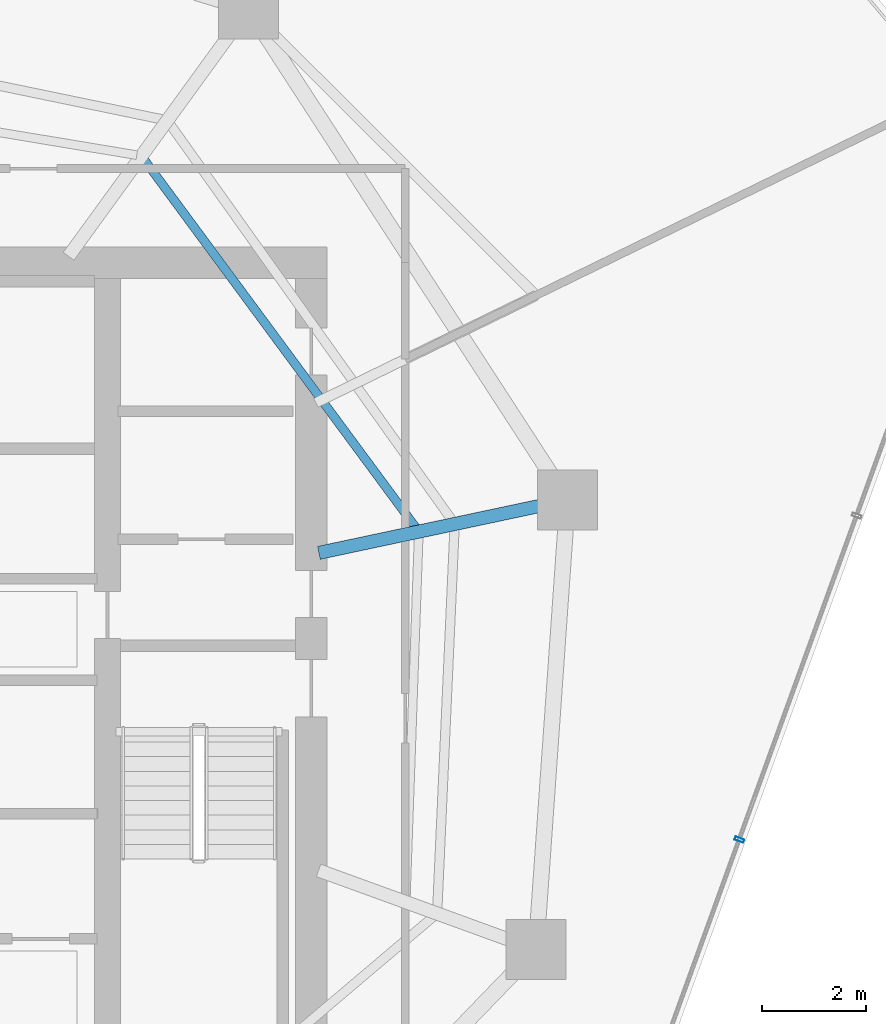
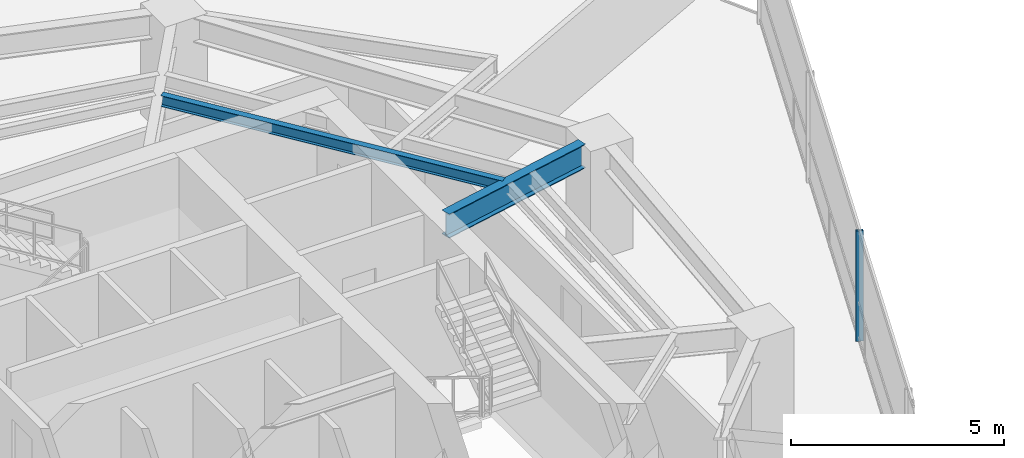
# One storey, part 14 of 27: 2 beams, 1 member, 1 element without a shape of its own.
"""IFC4 building model written with IfcOpenShell, lengths in metres."""

from ifc_helpers import new_model, si_unit, direction, frame, origin, origin_2d, place, context, subcontext, project, spatial, hollow_rectangle, i_section, extrude, material, layer, layer_set, material_profile, profile_set, type_object, element, aggregate, save


model = new_model("IFC4")

# Units and contexts
model_context = context("Model", 3, precision=1e-05, world=origin(), true_north=direction((0.0, 1.0)))
body_context = subcontext(model_context, "Body", "Model", "MODEL_VIEW")
ifc_project = project(units=[si_unit("LENGTHUNIT", "METRE"), si_unit("AREAUNIT", "SQUARE_METRE"), si_unit("VOLUMEUNIT", "CUBIC_METRE"), si_unit("PLANEANGLEUNIT", "RADIAN"), si_unit("MASSUNIT", "GRAM", prefix="KILO")], contexts=[model_context])

# Site, building, storey
site_placement = place(None, origin())
site = spatial("IfcSite", under=ifc_project, at=site_placement, CompositionType="ELEMENT")
building_placement = place(site_placement, origin())
building = spatial("IfcBuilding", under=site, at=building_placement, Name="Qarnah Convention Tower", CompositionType="ELEMENT")
storey_placement = place(building_placement, frame((0.0, 0.0, 103.949951171875)))
storey = spatial("IfcBuildingStorey", under=building, at=storey_placement, Name="L27", CompositionType="ELEMENT", Elevation=103.949951171875)

# Beams
ifc_material_1 = material(Name="Structural steel S355JR", Category="steel")
ifc_material_profile_1 = material_profile(ifc_material_1, i_section(OverallWidth=0.166015625, OverallDepth=0.31201171875, WebThickness=0.007080078125, FlangeThickness=0.010986328125, at=origin_2d()), Name="W310X45")
ifc_profile_set_1 = profile_set([ifc_material_profile_1], Name="Structural steel S355JR")
beam_type_1 = type_object("IfcBeamType", Name="BM-JST-W310", PredefinedType="JOIST", material=ifc_profile_set_1)
beam_1_placement = place(storey_placement, frame((49.60791015625, 29.12109375, 3.01416015625), z_axis=(-0.594009463015, 0.804458052262, 0.0), x_axis=(-0.804458052262, -0.594009463015, 0.0)))
element("IfcBeam", 1, at=beam_1_placement, inside=storey, type_object=beam_type_1, Name="L27 joist BM-L27-IJST-01", PredefinedType="JOIST", context=body_context, shape_type="SweptSolid", body=[
    extrude(i_section(OverallWidth=0.166015625, OverallDepth=0.31201171875, WebThickness=0.007080078125, FlangeThickness=0.010986328125, at=origin_2d()), origin(), (0.0, 0.0, 1.0), 8.76220703125),
])
ifc_material_profile_2 = material_profile(ifc_material_1, i_section(OverallWidth=0.25390625, OverallDepth=0.68798828125, WebThickness=0.012939453125, FlangeThickness=0.02099609375, at=origin_2d()), Name="W690X152")
ifc_profile_set_2 = profile_set([ifc_material_profile_2], Name="Structural steel S355JR")
beam_type_2 = type_object("IfcBeamType", Name="BM-RAD-W690", PredefinedType="BEAM", material=ifc_profile_set_2)
beam_2_placement = place(storey_placement, frame((47.7470703125, 28.64208984375, 2.825927734375), z_axis=(0.978128480765, 0.20800162287, 0.0), x_axis=(-0.20800162287, 0.978128480765, 0.0)))
element("IfcBeam", 2, at=beam_2_placement, inside=storey, type_object=beam_type_2, Name="L27 beam BM-L27-RAD-01", PredefinedType="BEAM", context=body_context, shape_type="SweptSolid", body=[
    extrude(i_section(OverallWidth=0.25390625, OverallDepth=0.68798828125, WebThickness=0.012939453125, FlangeThickness=0.02099609375, at=origin_2d()), origin(), (0.0, 0.0, 1.0), 4.312255859375),
])

# Curtain wall, member
ifc_material_2 = material(Name="Tempered Low-E dark glass", Category="glass")
ifc_layer = layer(ifc_material_2, 0.169921875)
ifc_layer_set = layer_set([ifc_layer], Name="Tempered Low-E dark glass")
curtain_wall_type = type_object("IfcCurtainWallType", Name="CWS-02", PredefinedType="NOTDEFINED", material=ifc_layer_set)
curtain_wall_placement = place(storey_placement, origin())
curtain_wall = element("IfcCurtainWall", 3, at=curtain_wall_placement, inside=storey, type_object=curtain_wall_type, Name="L27 unitised curtain wall CW-L27-F2", PredefinedType="NOTDEFINED")
ifc_material_3 = material(Name="Black anodised aluminium", Category="aluminium")
ifc_material_profile_3 = material_profile(ifc_material_3, hollow_rectangle(XDim=0.06494140625, YDim=0.179931640625, WallThickness=0.00390625, at=origin_2d()), Name="MUL-65X180")
ifc_profile_set_3 = profile_set([ifc_material_profile_3], Name="Black anodised aluminium")
member_type = type_object("IfcMemberType", Name="MUL-T2", PredefinedType="MULLION", material=ifc_profile_set_3)
member_placement = place(storey_placement, frame((55.79931640625, 23.15087890625, 0.0), z_axis=(0.0, 0.0, 1.0), x_axis=(-0.340708211397, -0.940169088349, 0.0)))
member = element("IfcMember", 4, at=member_placement, type_object=member_type, Name="CW-L27-F2 mullion 3", PredefinedType="MULLION", context=body_context, shape_type="SweptSolid", body=[
    extrude(hollow_rectangle(XDim=0.06494140625, YDim=0.179931640625, WallThickness=0.00390625, at=origin_2d()), origin(), (0.0, 0.0, 1.0), 3.170166015625),
])
aggregate(curtain_wall, [member])

save(model, "model.ifc")
